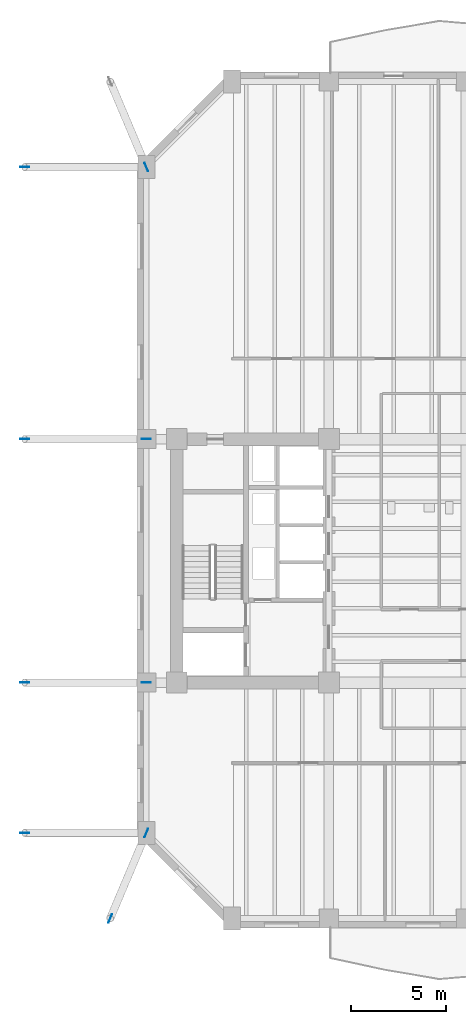
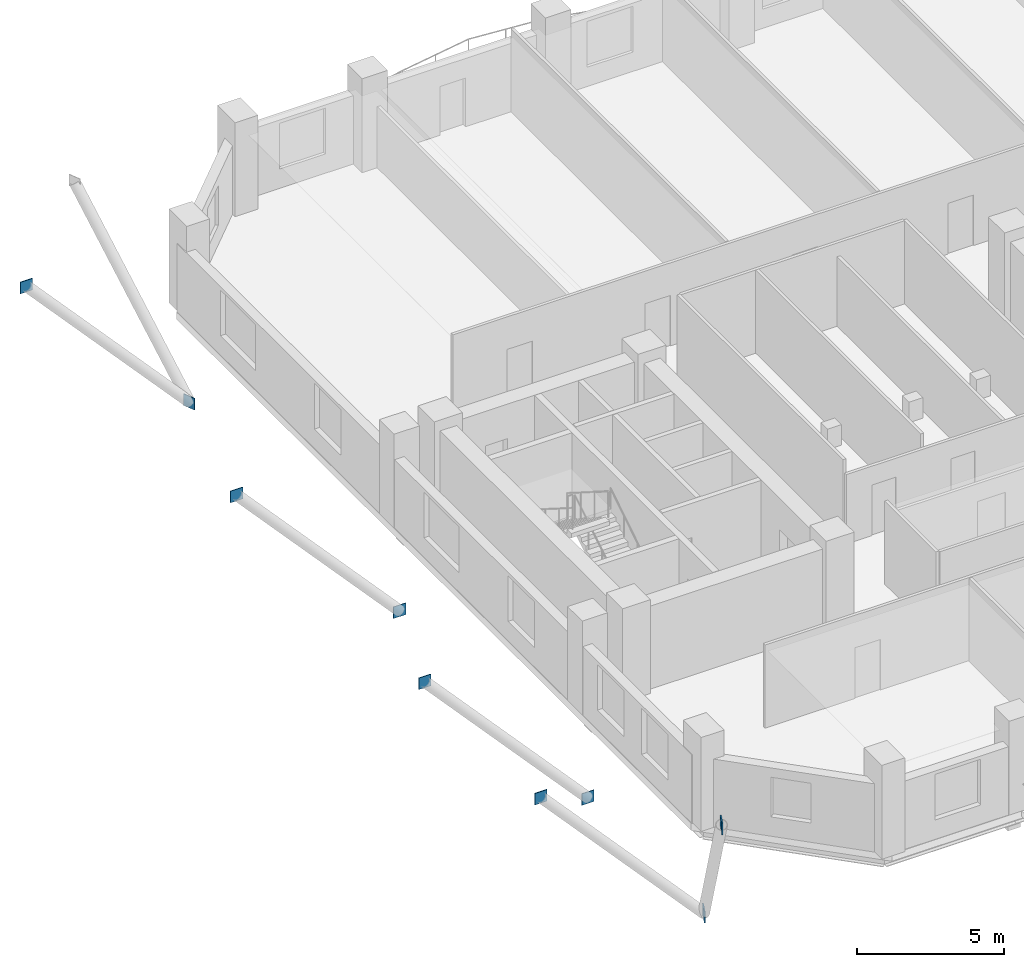
# One storey, part 3 of 12: 9 plates.
"""IFC4 building model written with IfcOpenShell, lengths in metres."""

from ifc_helpers import new_model, si_unit, direction, frame, origin, origin_2d, place, context, subcontext, project, spatial, rectangle, extrude, material, layer, layer_set, type_object, element, save


model = new_model("IFC4")

# Units and contexts
model_context = context("Model", 3, precision=1e-05, world=origin(), true_north=direction((0.0, 1.0)))
body_context = subcontext(model_context, "Body", "Model", "MODEL_VIEW")
ifc_project = project(units=[si_unit("LENGTHUNIT", "METRE"), si_unit("AREAUNIT", "SQUARE_METRE"), si_unit("VOLUMEUNIT", "CUBIC_METRE"), si_unit("PLANEANGLEUNIT", "RADIAN"), si_unit("MASSUNIT", "GRAM", prefix="KILO")], contexts=[model_context])

# Site, building, storey
site_placement = place(None, origin())
site = spatial("IfcSite", under=ifc_project, at=site_placement, CompositionType="ELEMENT")
building_placement = place(site_placement, origin())
building = spatial("IfcBuilding", under=site, at=building_placement, Name="Kranthara Brick Stack", CompositionType="ELEMENT")
storey_placement = place(building_placement, frame((0.0, 0.0, 90.60009765625)))
storey = spatial("IfcBuildingStorey", under=building, at=storey_placement, Name="L22", CompositionType="ELEMENT", Elevation=90.60009765625)

# Plates
ifc_material = material(Name="Steel S355", Category="steel")
ifc_layer = layer(ifc_material, 0.030029296875)
ifc_layer_set = layer_set([ifc_layer], Name="Steel S355")
plate_type = type_object("IfcPlateType", Name="PLT-GUSSET-30", PredefinedType="USERDEFINED", material=ifc_layer_set)
for number, where, z_axis, x_axis, name in (
    (1, (11.199951171875, 12.89990234375, -4.14013671875), (0.0, 0.0, 1.0), (0.38912395014, 0.921185405566, 0.0), "L22 Brace and Strut End Connection Gusset Plate 035"),
    (2, (9.300048828125, 8.39990234375, 2.909912109375), (0.0, 0.0, 1.0), (0.38912395014, 0.921185405566, 0.0), "L22 Brace and Strut End Connection Gusset Plate 036"),
    (3, (11.199951171875, 47.89990234375, -4.14013671875), (0.0, 0.0, 1.0), (-0.38912395014, 0.921185405566, 0.0), "L22 Brace and Strut End Connection Gusset Plate 037"),
    (4, (4.800048828125, 12.89990234375, 2.909912109375), (0.0, 0.0, 1.0), (1.0, 0.0, 0.0), "L22 Brace and Strut End Connection Gusset Plate 039"),
    (5, (11.199951171875, 20.800048828125, -4.14013671875), (0.0, 0.0, 1.0), (1.0, 0.0, 0.0), "L22 Brace and Strut End Connection Gusset Plate 040"),
    (6, (4.800048828125, 20.800048828125, 2.909912109375), (0.0, 0.0, 1.0), (1.0, 0.0, 0.0), "L22 Brace and Strut End Connection Gusset Plate 041"),
    (7, (11.199951171875, 33.60009765625, -4.14013671875), (0.0, 0.0, 1.0), (1.0, 0.0, 0.0), "L22 Brace and Strut End Connection Gusset Plate 042"),
    (8, (4.800048828125, 33.60009765625, 2.909912109375), (0.0, 0.0, 1.0), (1.0, 0.0, 0.0), "L22 Brace and Strut End Connection Gusset Plate 043"),
    (9, (4.800048828125, 47.89990234375, 2.909912109375), (0.0, 0.0, 1.0), (1.0, 0.0, 0.0), "L22 Brace and Strut End Connection Gusset Plate 044"),
):
    element("IfcPlate", number, at=place(storey_placement, frame(where, z_axis=z_axis, x_axis=x_axis)), inside=storey, type_object=plate_type, Name=name, ObjectType="GUSSET PLATE", PredefinedType="USERDEFINED", context=body_context, shape_type="SweptSolid", body=[
        extrude(rectangle(XDim=0.47998046875, YDim=0.030029296875, at=origin_2d()), origin(), (0.0, 0.0, 1.0), 0.47998046875),
    ])

save(model, "model.ifc")
